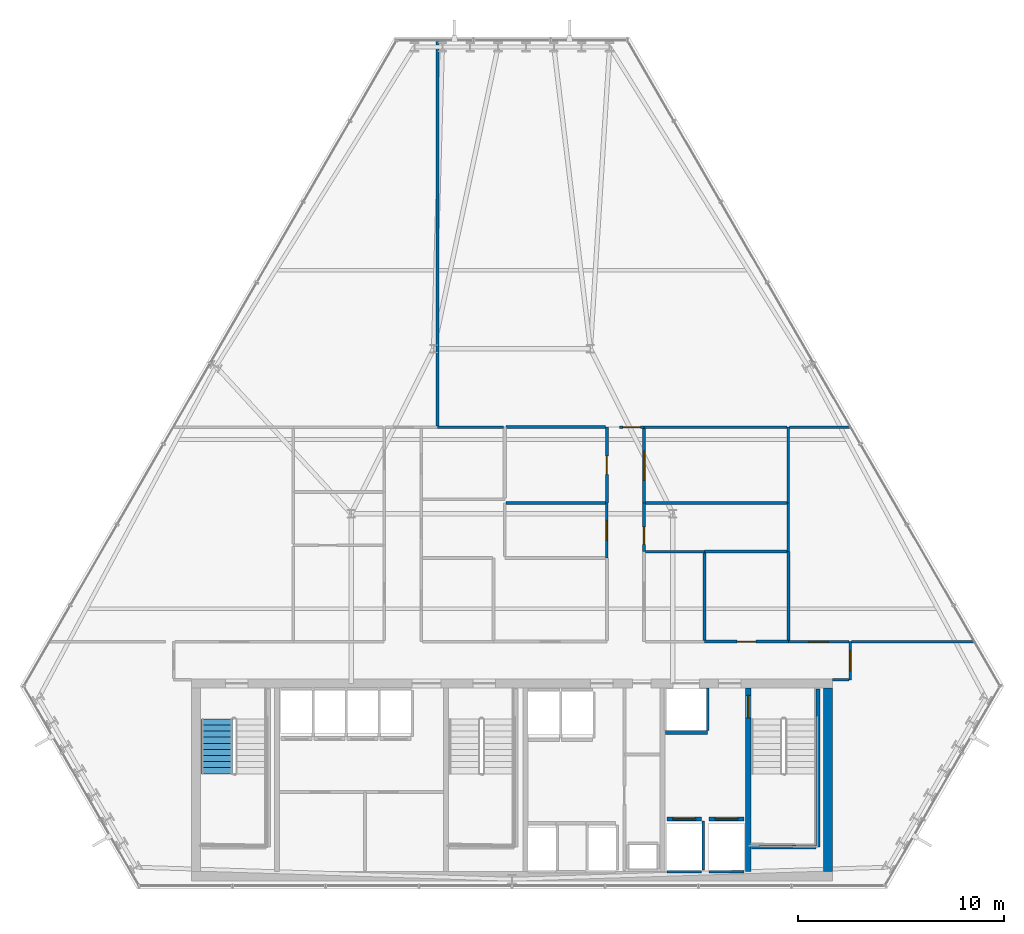
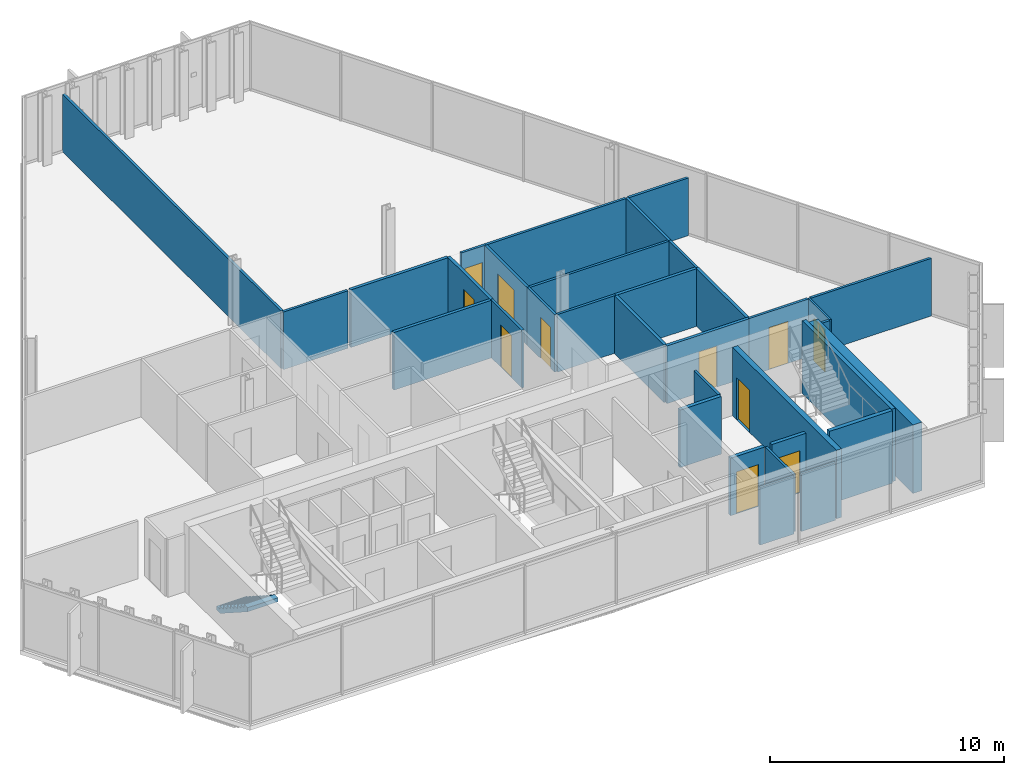
# One storey, part 28 of 33: 34 walls, 11 doors, 1 stair flight, 11 openings, 1 element without a shape of its own.
"""IFC4 building model written with IfcOpenShell, lengths in metres."""

from ifc_helpers import new_model, si_unit, direction, frame, frame_2d, origin, place, context, subcontext, project, spatial, polyline, rectangle, outline, extrude, material, layer, layer_set, type_object, element, fill, aggregate, save


model = new_model("IFC4")

# Units and contexts
model_context = context("Model", 3, precision=1e-05, world=origin(), true_north=direction((0.0, 1.0)))
body_context = subcontext(model_context, "Body", "Model", "MODEL_VIEW")
ifc_project = project(units=[si_unit("LENGTHUNIT", "METRE"), si_unit("AREAUNIT", "SQUARE_METRE"), si_unit("VOLUMEUNIT", "CUBIC_METRE"), si_unit("PLANEANGLEUNIT", "RADIAN"), si_unit("MASSUNIT", "GRAM", prefix="KILO")], contexts=[model_context])

# Site, building, storey
site_placement = place(None, origin())
site = spatial("IfcSite", under=ifc_project, at=site_placement, CompositionType="ELEMENT")
building_placement = place(site_placement, origin())
building = spatial("IfcBuilding", under=site, at=building_placement, Name="Ndaravel Arena Tower", CompositionType="ELEMENT")
storey_placement = place(building_placement, frame((0.0, 0.0, 153.60009765625)))
storey = spatial("IfcBuildingStorey", under=building, at=storey_placement, Name="L36", CompositionType="ELEMENT", Elevation=153.60009765625)

# Wall, opening, door
ifc_material_1 = material(Name="Concrete C60/75", Category="concrete")
ifc_layer_1 = layer(ifc_material_1, 0.25)
ifc_layer_set_1 = layer_set([ifc_layer_1], Name="Concrete C60/75")
wall_type_1 = type_object("IfcWallType", Name="WALL-CORE-250", PredefinedType="SOLIDWALL", material=ifc_layer_set_1)
wall_1_placement = place(storey_placement, frame((53.449951171875, 5.85009765625, 0.0), z_axis=(0.0, 0.0, 1.0), x_axis=(0.0, 1.0, 0.0)))
wall_1 = element("IfcWall", 1, at=wall_1_placement, inside=storey, type_object=wall_type_1, Name="L36 Core Web Shear Wall 5", PredefinedType="SOLIDWALL", context=body_context, shape_type="SweptSolid", body=[
    extrude(rectangle(XDim=8.89990234375, YDim=0.25, at=frame_2d((4.449951171875, 0.0))), origin(), (0.0, 0.0, 1.0), 3.579833984375),
])
opening_1_placement = place(wall_1_placement, frame((7.449951171875, 0.0, 0.0)))
opening_1 = element("IfcOpeningElement", 2, at=opening_1_placement, cuts=wall_1, Name="Opening FD-01", PredefinedType="OPENING", context=body_context, shape_type="SweptSolid", body=[
    extrude(rectangle(XDim=1.10009765625, YDim=2.199951171875, at=frame_2d((0.550048828125, 1.10009765625))), frame((0.0, 0.125, 0.0), z_axis=(0.0, -1.0, 0.0), x_axis=(1.0, 0.0, 0.0)), (0.0, 0.0, 1.0), 0.25),
])
ifc_material_2 = material(Name="Steel S355", Category="steel")
door_type_1 = type_object("IfcDoorType", Name="DT-01-STAIR-1100", OperationType="SINGLE_SWING_LEFT", PredefinedType="DOOR", material=ifc_material_2)
door_1_placement = place(opening_1_placement, origin())
door_1 = element("IfcDoor", 3, at=door_1_placement, inside=storey, type_object=door_type_1, Name="L36 Firefighting Lobby to ST-3 Door", OperationType="SINGLE_SWING_LEFT", OverallHeight=2.199951171875, OverallWidth=1.10009765625, PredefinedType="DOOR", context=body_context, shape_type="SweptSolid", body=[
    extrude(rectangle(XDim=1.10009765625, YDim=2.199951171875, at=frame_2d((0.550048828125, 1.10009765625))), frame((0.0, 0.02490234375, 0.0), z_axis=(0.0, -1.0, 0.0), x_axis=(1.0, 0.0, 0.0)), (0.0, 0.0, 1.0), 0.050048828125),
])
fill(opening_1, door_1)

# Wall
ifc_material_3 = material(Name="Concrete C60/75", Category="concrete")
ifc_layer_2 = layer(ifc_material_3, 0.449951171875)
ifc_layer_set_2 = layer_set([ifc_layer_2], Name="Concrete C60/75")
wall_type_2 = type_object("IfcWallType", Name="WALL-CORE-450", PredefinedType="SOLIDWALL", material=ifc_layer_set_2)
wall_2_placement = place(storey_placement, frame((57.324951171875, 5.85009765625, 0.0), z_axis=(0.0, 0.0, 1.0), x_axis=(0.0, 1.0, 0.0)))
element("IfcWall", 4, at=wall_2_placement, inside=storey, type_object=wall_type_2, Name="L36 Core East Shear Wall", PredefinedType="SOLIDWALL", context=body_context, shape_type="SweptSolid", body=[
    extrude(rectangle(XDim=8.89990234375, YDim=0.449951171875, at=frame_2d((4.449951171875, 0.0))), origin(), (0.0, 0.0, 1.0), 3.579833984375),
])

# Wall, opening, door
ifc_material_4 = material(Name="Timber", Category="wood")
ifc_layer_3 = layer(ifc_material_4, 0.10009765625)
ifc_layer_set_3 = layer_set([ifc_layer_3], Name="Timber")
wall_type_3 = type_object("IfcWallType", Name="WALL-MOVABLE-100", PredefinedType="MOVABLE", material=ifc_layer_set_3)
wall_3_placement = place(storey_placement, frame((58.39990234375, 17.0, 0.0), z_axis=(0.0, 0.0, 1.0), x_axis=(0.0, -1.0, 0.0)))
wall_3 = element("IfcWall", 5, at=wall_3_placement, inside=storey, type_object=wall_type_3, Name="L36 Interior Partition 001", PredefinedType="MOVABLE", context=body_context, shape_type="SweptSolid", body=[
    extrude(rectangle(XDim=1.85009765625, YDim=0.10009765625, at=frame_2d((0.925048828125, 0.0))), origin(), (0.0, 0.0, 1.0), 3.010498046875),
])
opening_2_placement = place(wall_3_placement, frame((0.449951171875, 0.0, 0.0)))
opening_2 = element("IfcOpeningElement", 6, at=opening_2_placement, cuts=wall_3, Name="Opening ID-01", PredefinedType="OPENING", context=body_context, shape_type="SweptSolid", body=[
    extrude(rectangle(XDim=0.949951171875, YDim=2.199951171875, at=frame_2d((0.47509765625, 1.10009765625))), frame((0.0, 0.050048828125, 0.0), z_axis=(0.0, -1.0, 0.0), x_axis=(1.0, 0.0, 0.0)), (0.0, 0.0, 1.0), 0.10009765625),
])
ifc_material_5 = material(Name="Timber", Category="wood")
door_type_2 = type_object("IfcDoorType", Name="DT-03-OFFICE-950", OperationType="SINGLE_SWING_LEFT", PredefinedType="DOOR", material=ifc_material_5)
door_2_placement = place(opening_2_placement, origin())
door_2 = element("IfcDoor", 7, at=door_2_placement, inside=storey, type_object=door_type_2, Name="L36 Visitor Reception Desk Door", OperationType="SINGLE_SWING_RIGHT", OverallHeight=2.199951171875, OverallWidth=0.949951171875, PredefinedType="DOOR", context=body_context, shape_type="SweptSolid", body=[
    extrude(rectangle(XDim=0.949951171875, YDim=2.199951171875, at=frame_2d((0.47509765625, 1.10009765625))), frame((0.0, 0.02490234375, 0.0), z_axis=(0.0, -1.0, 0.0), x_axis=(1.0, 0.0, 0.0)), (0.0, 0.0, 1.0), 0.050048828125),
])
fill(opening_2, door_2)

# Wall
ifc_material_6 = material(Name="Gypsum", Category="gypsum")
ifc_layer_4 = layer(ifc_material_6, 0.125)
ifc_layer_set_4 = layer_set([ifc_layer_4], Name="Gypsum")
wall_type_4 = type_object("IfcWallType", Name="WALL-PART-125", PredefinedType="PARTITIONING", material=ifc_layer_set_4)
wall_4_placement = place(storey_placement, frame((58.3349609375, 15.14990234375, 0.0), z_axis=(0.0, 0.0, 1.0), x_axis=(-1.0, 0.0, 0.0)))
element("IfcWall", 8, at=wall_4_placement, inside=storey, type_object=wall_type_4, Name="L36 Interior Partition 002", PredefinedType="PARTITIONING", context=body_context, shape_type="SweptSolid", body=[
    extrude(rectangle(XDim=0.784912109375, YDim=0.125, at=frame_2d((0.392578125, 0.0))), origin(), (0.0, 0.0, 1.0), 3.010498046875),
])

# Wall, opening, door
wall_5_placement = place(storey_placement, frame((46.60009765625, 21.055908203125, 0.0), z_axis=(0.0, 0.0, 1.0), x_axis=(0.0, 1.0, 0.0)))
wall_5 = element("IfcWall", 9, at=wall_5_placement, inside=storey, type_object=wall_type_4, Name="L36 Interior Partition 017", PredefinedType="PARTITIONING", context=body_context, shape_type="SweptSolid", body=[
    extrude(rectangle(XDim=2.66455078125, YDim=0.125, at=frame_2d((1.332275390625, 0.0))), origin(), (0.0, 0.0, 1.0), 3.010498046875),
])
opening_3_placement = place(wall_5_placement, frame((0.857421875, 0.0, 0.0)))
opening_3 = element("IfcOpeningElement", 10, at=opening_3_placement, cuts=wall_5, Name="Opening ID-01", PredefinedType="OPENING", context=body_context, shape_type="SweptSolid", body=[
    extrude(rectangle(XDim=0.949951171875, YDim=2.199951171875, at=frame_2d((0.47509765625, 1.10009765625))), frame((0.0, 0.0625, 0.0), z_axis=(0.0, -1.0, 0.0), x_axis=(1.0, 0.0, 0.0)), (0.0, 0.0, 1.0), 0.125),
])
door_3_placement = place(opening_3_placement, origin())
door_3 = element("IfcDoor", 11, at=door_3_placement, inside=storey, type_object=door_type_2, Name="L36 Training Classroom 4 Door", OperationType="SINGLE_SWING_RIGHT", OverallHeight=2.199951171875, OverallWidth=0.949951171875, PredefinedType="DOOR", context=body_context, shape_type="SweptSolid", body=[
    extrude(rectangle(XDim=0.949951171875, YDim=2.199951171875, at=frame_2d((0.47509765625, 1.10009765625))), frame((0.0, 0.02490234375, 0.0), z_axis=(0.0, -1.0, 0.0), x_axis=(1.0, 0.0, 0.0)), (0.0, 0.0, 1.0), 0.050048828125),
])
fill(opening_3, door_3)

wall_6_placement = place(storey_placement, frame((48.39990234375, 27.3349609375, 0.0), z_axis=(0.0, 0.0, 1.0), x_axis=(0.0, -1.0, 0.0)))
wall_6 = element("IfcWall", 12, at=wall_6_placement, inside=storey, type_object=wall_type_4, Name="L36 Interior Partition 020", PredefinedType="PARTITIONING", context=body_context, shape_type="SweptSolid", body=[
    extrude(rectangle(XDim=3.614501953125, YDim=0.125, at=frame_2d((1.80712890625, 0.0))), origin(), (0.0, 0.0, 1.0), 3.010498046875),
])
opening_4_placement = place(wall_6_placement, frame((1.107177734375, 0.0, 0.0)))
opening_4 = element("IfcOpeningElement", 13, at=opening_4_placement, cuts=wall_6, Name="Opening ID-02", PredefinedType="OPENING", context=body_context, shape_type="SweptSolid", body=[
    extrude(rectangle(XDim=1.39990234375, YDim=2.199951171875, at=frame_2d((0.699951171875, 1.10009765625))), frame((0.0, 0.0625, 0.0), z_axis=(0.0, -1.0, 0.0), x_axis=(1.0, 0.0, 0.0)), (0.0, 0.0, 1.0), 0.125),
])
ifc_material_7 = material(Name="Timber", Category="wood")
door_type_3 = type_object("IfcDoorType", Name="DT-04-SUITE-1400", OperationType="DOUBLE_DOOR_SINGLE_SWING", PredefinedType="DOOR", material=ifc_material_7)
door_4_placement = place(opening_4_placement, origin())
door_4 = element("IfcDoor", 14, at=door_4_placement, inside=storey, type_object=door_type_3, Name="L36 Client Conference Room 6 Door", OperationType="SINGLE_SWING_LEFT", OverallHeight=2.199951171875, OverallWidth=1.39990234375, PredefinedType="DOOR", context=body_context, shape_type="SweptSolid", body=[
    extrude(rectangle(XDim=1.39990234375, YDim=2.199951171875, at=frame_2d((0.699951171875, 1.10009765625))), frame((0.0, 0.02490234375, 0.0), z_axis=(0.0, -1.0, 0.0), x_axis=(1.0, 0.0, 0.0)), (0.0, 0.0, 1.0), 0.050048828125),
])
fill(opening_4, door_4)

wall_7_placement = place(storey_placement, frame((55.39990234375, 17.0, 0.0), z_axis=(0.0, 0.0, 1.0), x_axis=(1.0, 0.0, 0.0)))
wall_7 = element("IfcWall", 15, at=wall_7_placement, inside=storey, type_object=wall_type_4, Name="L36 Interior Partition 025", PredefinedType="PARTITIONING", context=body_context, shape_type="SweptSolid", body=[
    extrude(rectangle(XDim=2.93505859375, YDim=0.125, at=frame_2d((1.467529296875, 0.0))), origin(), (0.0, 0.0, 1.0), 3.010498046875),
])
opening_5_placement = place(wall_7_placement, frame((0.992431640625, 0.0, 0.0)))
opening_5 = element("IfcOpeningElement", 16, at=opening_5_placement, cuts=wall_7, Name="Opening ID-01", PredefinedType="OPENING", context=body_context, shape_type="SweptSolid", body=[
    extrude(rectangle(XDim=0.949951171875, YDim=2.199951171875, at=frame_2d((0.47509765625, 1.10009765625))), frame((0.0, 0.0625, 0.0), z_axis=(0.0, -1.0, 0.0), x_axis=(1.0, 0.0, 0.0)), (0.0, 0.0, 1.0), 0.125),
])
door_5_placement = place(opening_5_placement, origin())
door_5 = element("IfcDoor", 17, at=door_5_placement, inside=storey, type_object=door_type_2, Name="L36 Concierge Arrival Salon 2 Door", OperationType="SINGLE_SWING_RIGHT", OverallHeight=2.199951171875, OverallWidth=0.949951171875, PredefinedType="DOOR", context=body_context, shape_type="SweptSolid", body=[
    extrude(rectangle(XDim=0.949951171875, YDim=2.199951171875, at=frame_2d((0.47509765625, 1.10009765625))), frame((0.0, 0.02490234375, 0.0), z_axis=(0.0, -1.0, 0.0), x_axis=(1.0, 0.0, 0.0)), (0.0, 0.0, 1.0), 0.050048828125),
])
fill(opening_5, door_5)

# Walls
wall_8_placement = place(storey_placement, frame((58.465087890625, 17.0, 0.0), z_axis=(0.0, 0.0, 1.0), x_axis=(1.0, 0.0, 0.0)))
element("IfcWall", 18, at=wall_8_placement, inside=storey, type_object=wall_type_4, Name="L36 Interior Partition 027", PredefinedType="PARTITIONING", context=body_context, shape_type="SweptSolid", body=[
    extrude(rectangle(XDim=5.958740234375, YDim=0.125, at=frame_2d((2.9794921875, 0.0))), origin(), (0.0, 0.0, 1.0), 3.010498046875),
])
wall_9_placement = place(storey_placement, frame((48.465087890625, 21.367919921875, 0.0), z_axis=(0.0, 0.0, 1.0), x_axis=(1.0, 0.0, 0.0)))
element("IfcWall", 19, at=wall_9_placement, inside=storey, type_object=wall_type_4, Name="L36 Interior Partition 031", PredefinedType="PARTITIONING", context=body_context, shape_type="SweptSolid", body=[
    extrude(rectangle(XDim=2.875, YDim=0.125, at=frame_2d((1.4375, 0.0))), origin(), (0.0, 0.0, 1.0), 3.010498046875),
])
wall_10_placement = place(storey_placement, frame((55.39990234375, 21.367919921875, 0.0), z_axis=(0.0, 0.0, 1.0), x_axis=(0.0, 1.0, 0.0)))
element("IfcWall", 20, at=wall_10_placement, inside=storey, type_object=wall_type_4, Name="L36 Interior Partition 037", PredefinedType="PARTITIONING", context=body_context, shape_type="SweptSolid", body=[
    extrude(rectangle(XDim=2.3525390625, YDim=0.125, at=frame_2d((1.17626953125, 0.0))), origin(), (0.0, 0.0, 1.0), 3.010498046875),
])
wall_11_placement = place(storey_placement, frame((55.39990234375, 23.720458984375, 0.0), z_axis=(0.0, 0.0, 1.0), x_axis=(0.0, 1.0, 0.0)))
element("IfcWall", 21, at=wall_11_placement, inside=storey, type_object=wall_type_4, Name="L36 Interior Partition 038", PredefinedType="PARTITIONING", context=body_context, shape_type="SweptSolid", body=[
    extrude(rectangle(XDim=3.679443359375, YDim=0.125, at=frame_2d((1.83984375, 0.0))), origin(), (0.0, 0.0, 1.0), 3.010498046875),
])
wall_12_placement = place(storey_placement, frame((55.465087890625, 27.39990234375, 0.0), z_axis=(0.0, 0.0, 1.0), x_axis=(1.0, 0.0, 0.0)))
element("IfcWall", 22, at=wall_12_placement, inside=storey, type_object=wall_type_4, Name="L36 Interior Partition 039", PredefinedType="PARTITIONING", context=body_context, shape_type="SweptSolid", body=[
    extrude(rectangle(XDim=2.954345703125, YDim=0.125, at=frame_2d((1.47705078125, 0.0))), origin(), (0.0, 0.0, 1.0), 3.010498046875),
])
wall_13_placement = place(storey_placement, frame((48.465087890625, 23.720458984375, 0.0), z_axis=(0.0, 0.0, 1.0), x_axis=(1.0, 0.0, 0.0)))
element("IfcWall", 23, at=wall_13_placement, inside=storey, type_object=wall_type_4, Name="L36 Interior Partition 046", PredefinedType="PARTITIONING", context=body_context, shape_type="SweptSolid", body=[
    extrude(rectangle(XDim=6.869873046875, YDim=0.125, at=frame_2d((3.43505859375, 0.0))), origin(), (0.0, 0.0, 1.0), 3.010498046875),
])
wall_14_placement = place(storey_placement, frame((48.39990234375, 27.39990234375, 0.0), z_axis=(0.0, 0.0, 1.0), x_axis=(1.0, 0.0, 0.0)))
element("IfcWall", 24, at=wall_14_placement, inside=storey, type_object=wall_type_4, Name="L36 Interior Partition 050", PredefinedType="PARTITIONING", context=body_context, shape_type="SweptSolid", body=[
    extrude(rectangle(XDim=6.93505859375, YDim=0.125, at=frame_2d((3.467529296875, 0.0))), origin(), (0.0, 0.0, 1.0), 3.010498046875),
])
wall_15_placement = place(storey_placement, frame((38.3876953125, 27.39990234375, 0.0), z_axis=(0.0, 0.0, 1.0), x_axis=(1.0, 0.0, 0.0)))
element("IfcWall", 25, at=wall_15_placement, inside=storey, type_object=wall_type_4, Name="L36 Interior Partition 052", PredefinedType="PARTITIONING", context=body_context, shape_type="SweptSolid", body=[
    extrude(rectangle(XDim=3.197265625, YDim=0.125, at=frame_2d((1.5986328125, 0.0))), origin(), (0.0, 0.0, 1.0), 3.010498046875),
])
wall_16_placement = place(storey_placement, frame((38.3876953125, 46.15380859375, 0.0), z_axis=(0.0, 0.0, 1.0), x_axis=(0.0, -1.0, 0.0)))
element("IfcWall", 26, at=wall_16_placement, inside=storey, type_object=wall_type_4, Name="L36 Interior Partition 054", PredefinedType="PARTITIONING", context=body_context, shape_type="SweptSolid", body=[
    extrude(rectangle(XDim=18.688720703125, YDim=0.125, at=frame_2d((9.34423828125, 0.0))), origin(), (0.0, 0.0, 1.0), 3.010498046875),
])
ifc_material_8 = material(Name="Concrete C40/50", Category="concrete")
ifc_layer_5 = layer(ifc_material_8, 0.1201171875)
ifc_layer_set_5 = layer_set([ifc_layer_5], Name="Concrete C40/50")
wall_type_5 = type_object("IfcWallType", Name="WALL-SHAFT-120", PredefinedType="SOLIDWALL", material=ifc_layer_set_5)
wall_17_placement = place(storey_placement, frame((49.5048828125, 5.840087890625, 0.0), z_axis=(0.0, 0.0, 1.0), x_axis=(1.0, 0.0, 0.0)))
element("IfcWall", 27, at=wall_17_placement, inside=storey, type_object=wall_type_5, Name="L36 FFL-1 Shaft Rear Wall", PredefinedType="SOLIDWALL", context=body_context, shape_type="SweptSolid", body=[
    extrude(rectangle(XDim=1.690185546875, YDim=0.1201171875, at=frame_2d((0.84521484375, 0.0))), origin(), (0.0, 0.0, 1.0), 3.010498046875),
])
wall_18_placement = place(storey_placement, frame((51.27490234375, 5.929931640625, 0.0), z_axis=(0.0, 0.0, 1.0), x_axis=(0.0, 1.0, 0.0)))
element("IfcWall", 28, at=wall_18_placement, inside=storey, type_object=wall_type_5, Name="L36 FFL-1 Shaft Side R Wall", PredefinedType="SOLIDWALL", context=body_context, shape_type="SweptSolid", body=[
    extrude(rectangle(XDim=2.380126953125, YDim=0.1201171875, at=frame_2d((1.18994140625, 0.0))), origin(), (0.0, 0.0, 1.0), 3.010498046875),
])
wall_19_placement = place(storey_placement, frame((51.554931640625, 5.840087890625, 0.0), z_axis=(0.0, 0.0, 1.0), x_axis=(1.0, 0.0, 0.0)))
element("IfcWall", 29, at=wall_19_placement, inside=storey, type_object=wall_type_5, Name="L36 FFL-2 Shaft Rear Wall", PredefinedType="SOLIDWALL", context=body_context, shape_type="SweptSolid", body=[
    extrude(rectangle(XDim=1.690185546875, YDim=0.1201171875, at=frame_2d((0.84521484375, 0.0))), origin(), (0.0, 0.0, 1.0), 3.010498046875),
])
wall_20_placement = place(storey_placement, frame((51.47998046875, 12.68994140625, 0.0), z_axis=(0.0, 0.0, 1.0), x_axis=(0.0, 1.0, 0.0)))
element("IfcWall", 30, at=wall_20_placement, inside=storey, type_object=wall_type_5, Name="L36 SVL-1 Shaft E Wall", PredefinedType="SOLIDWALL", context=body_context, shape_type="SweptSolid", body=[
    extrude(rectangle(XDim=2.070068359375, YDim=0.1201171875, at=frame_2d((1.03515625, 0.0))), origin(), (0.0, 0.0, 1.0), 3.010498046875),
])
ifc_material_9 = material(Name="Concrete C40/50", Category="concrete")
ifc_layer_6 = layer(ifc_material_9, 0.199951171875)
ifc_layer_set_6 = layer_set([ifc_layer_6], Name="Concrete C40/50")
wall_type_6 = type_object("IfcWallType", Name="WALL-SHAFT-200", PredefinedType="SOLIDWALL", material=ifc_layer_set_6)
wall_21_placement = place(storey_placement, frame((56.840087890625, 14.699951171875, 0.0), z_axis=(0.0, 0.0, 1.0), x_axis=(0.0, -1.0, 0.0)))
element("IfcWall", 31, at=wall_21_placement, inside=storey, type_object=wall_type_6, Name="L36 ST-3 Structural Shaft Wall Right", PredefinedType="SOLIDWALL", context=body_context, shape_type="SweptSolid", body=[
    extrude(rectangle(XDim=7.64990234375, YDim=0.199951171875, at=frame_2d((3.824951171875, 0.0))), origin(), (0.0, 0.0, 1.0), 3.7998046875),
])
wall_22_placement = place(storey_placement, frame((53.6201171875, 7.050048828125, 0.0), z_axis=(0.0, 0.0, 1.0), x_axis=(1.0, 0.0, 0.0)))
element("IfcWall", 32, at=wall_22_placement, inside=storey, type_object=wall_type_6, Name="L36 ST-3 Structural Shaft Wall Far", PredefinedType="SOLIDWALL", context=body_context, shape_type="SweptSolid", body=[
    extrude(rectangle(XDim=3.114990234375, YDim=0.199951171875, at=frame_2d((1.5576171875, 0.0))), origin(), (0.0, 0.0, 1.0), 3.7998046875),
])

# Wall, opening, door
wall_23_placement = place(storey_placement, frame((49.5048828125, 8.39990234375, 0.0), z_axis=(0.0, 0.0, 1.0), x_axis=(1.0, 0.0, 0.0)))
wall_23 = element("IfcWall", 33, at=wall_23_placement, inside=storey, type_object=wall_type_6, Name="L36 FFL-1 Shaft Landing Wall", PredefinedType="SOLIDWALL", context=body_context, shape_type="SweptSolid", body=[
    extrude(rectangle(XDim=1.690185546875, YDim=0.179931640625, at=frame_2d((0.84521484375, 0.0))), origin(), (0.0, 0.0, 1.0), 3.010498046875),
])
opening_6_placement = place(wall_23_placement, frame((0.294921875, 0.0, 0.0)))
opening_6 = element("IfcOpeningElement", 34, at=opening_6_placement, cuts=wall_23, Name="Opening LD-01", PredefinedType="OPENING", context=body_context, shape_type="SweptSolid", body=[
    extrude(rectangle(XDim=1.10009765625, YDim=2.199951171875, at=frame_2d((0.550048828125, 1.10009765625))), frame((0.0, 0.08984375, 0.0), z_axis=(0.0, -1.0, 0.0), x_axis=(1.0, 0.0, 0.0)), (0.0, 0.0, 1.0), 0.179931640625),
])
ifc_material_10 = material(Name="Steel S355", Category="steel")
door_type_4 = type_object("IfcDoorType", Name="DT-06-LIFT-1100", OperationType="SLIDING_TO_LEFT", PredefinedType="DOOR", material=ifc_material_10)
door_6_placement = place(opening_6_placement, origin())
door_6 = element("IfcDoor", 35, at=door_6_placement, inside=storey, type_object=door_type_4, Name="L36 Lift FFL-1 Sliding Landing Door", OperationType="SLIDING_TO_LEFT", OverallHeight=2.199951171875, OverallWidth=1.10009765625, PredefinedType="DOOR", context=body_context, shape_type="SweptSolid", body=[
    extrude(rectangle(XDim=1.10009765625, YDim=2.199951171875, at=frame_2d((0.550048828125, 1.10009765625))), frame((0.0, 0.02490234375, 0.0), z_axis=(0.0, -1.0, 0.0), x_axis=(1.0, 0.0, 0.0)), (0.0, 0.0, 1.0), 0.050048828125),
])
fill(opening_6, door_6)

wall_24_placement = place(storey_placement, frame((51.554931640625, 8.39990234375, 0.0), z_axis=(0.0, 0.0, 1.0), x_axis=(1.0, 0.0, 0.0)))
wall_24 = element("IfcWall", 36, at=wall_24_placement, inside=storey, type_object=wall_type_6, Name="L36 FFL-2 Shaft Landing Wall", PredefinedType="SOLIDWALL", context=body_context, shape_type="SweptSolid", body=[
    extrude(rectangle(XDim=1.690185546875, YDim=0.179931640625, at=frame_2d((0.84521484375, 0.0))), origin(), (0.0, 0.0, 1.0), 3.010498046875),
])
opening_7_placement = place(wall_24_placement, frame((0.294921875, 0.0, 0.0)))
opening_7 = element("IfcOpeningElement", 37, at=opening_7_placement, cuts=wall_24, Name="Opening LD-01", PredefinedType="OPENING", context=body_context, shape_type="SweptSolid", body=[
    extrude(rectangle(XDim=1.10009765625, YDim=2.199951171875, at=frame_2d((0.550048828125, 1.10009765625))), frame((0.0, 0.08984375, 0.0), z_axis=(0.0, -1.0, 0.0), x_axis=(1.0, 0.0, 0.0)), (0.0, 0.0, 1.0), 0.179931640625),
])
door_7_placement = place(opening_7_placement, origin())
door_7 = element("IfcDoor", 38, at=door_7_placement, inside=storey, type_object=door_type_4, Name="L36 Lift FFL-2 Sliding Landing Door", OperationType="SLIDING_TO_LEFT", OverallHeight=2.199951171875, OverallWidth=1.10009765625, PredefinedType="DOOR", context=body_context, shape_type="SweptSolid", body=[
    extrude(rectangle(XDim=1.10009765625, YDim=2.199951171875, at=frame_2d((0.550048828125, 1.10009765625))), frame((0.0, 0.02490234375, 0.0), z_axis=(0.0, -1.0, 0.0), x_axis=(1.0, 0.0, 0.0)), (0.0, 0.0, 1.0), 0.050048828125),
])
fill(opening_7, door_7)

# Wall
wall_25_placement = place(storey_placement, frame((49.43994140625, 12.594970703125, 0.0), z_axis=(0.0, 0.0, 1.0), x_axis=(1.0, 0.0, 0.0)))
element("IfcWall", 39, at=wall_25_placement, inside=storey, type_object=wall_type_6, Name="L36 SVL-1 Shaft South Wall", PredefinedType="SOLIDWALL", context=body_context, shape_type="SweptSolid", body=[
    extrude(rectangle(XDim=2.0400390625, YDim=0.179931640625, at=frame_2d((1.02001953125, 0.0))), origin(), (0.0, 0.0, 1.0), 3.010498046875),
])

# Wall, opening, door
ifc_material_11 = material(Name="Masonry", Category="masonry")
ifc_layer_7 = layer(ifc_material_11, 0.14990234375)
ifc_layer_set_7 = layer_set([ifc_layer_7], Name="Masonry")
wall_type_7 = type_object("IfcWallType", Name="WALL-WET-150", PredefinedType="PARTITIONING", material=ifc_layer_set_7)
wall_26_placement = place(storey_placement, frame((46.60009765625, 23.720458984375, 0.0), z_axis=(0.0, 0.0, 1.0), x_axis=(0.0, 1.0, 0.0)))
wall_26 = element("IfcWall", 40, at=wall_26_placement, inside=storey, type_object=wall_type_7, Name="L36 Interior Partition 018", PredefinedType="PARTITIONING", context=body_context, shape_type="SweptSolid", body=[
    extrude(rectangle(XDim=3.679443359375, YDim=0.14990234375, at=frame_2d((1.83984375, 0.0))), origin(), (0.0, 0.0, 1.0), 3.010498046875),
])
opening_8_placement = place(wall_26_placement, frame((1.3896484375, 0.0, 0.0)))
opening_8 = element("IfcOpeningElement", 41, at=opening_8_placement, cuts=wall_26, Name="Opening WD-01", PredefinedType="OPENING", context=body_context, shape_type="SweptSolid", body=[
    extrude(rectangle(XDim=0.89990234375, YDim=2.14990234375, at=frame_2d((0.449951171875, 1.074951171875))), frame((0.0, 0.074951171875, 0.0), z_axis=(0.0, -1.0, 0.0), x_axis=(1.0, 0.0, 0.0)), (0.0, 0.0, 1.0), 0.14990234375),
])
ifc_material_12 = material(Name="Timber", Category="wood")
door_type_5 = type_object("IfcDoorType", Name="DT-05-WC-900", OperationType="SINGLE_SWING_LEFT", PredefinedType="DOOR", material=ifc_material_12)
door_8_placement = place(opening_8_placement, origin())
door_8 = element("IfcDoor", 42, at=door_8_placement, inside=storey, type_object=door_type_5, Name="L36 Female & Accessible Restroom Door", OperationType="SINGLE_SWING_RIGHT", OverallHeight=2.14990234375, OverallWidth=0.89990234375, PredefinedType="DOOR", context=body_context, shape_type="SweptSolid", body=[
    extrude(rectangle(XDim=0.89990234375, YDim=2.14990234375, at=frame_2d((0.449951171875, 1.074951171875))), frame((0.0, 0.02490234375, 0.0), z_axis=(0.0, -1.0, 0.0), x_axis=(1.0, 0.0, 0.0)), (0.0, 0.0, 1.0), 0.050048828125),
])
fill(opening_8, door_8)

wall_27_placement = place(storey_placement, frame((47.199951171875, 27.39990234375, 0.0), z_axis=(0.0, 0.0, 1.0), x_axis=(1.0, 0.0, 0.0)))
wall_27 = element("IfcWall", 43, at=wall_27_placement, inside=storey, type_object=wall_type_7, Name="L36 Interior Partition 019", PredefinedType="PARTITIONING", context=body_context, shape_type="SweptSolid", body=[
    extrude(rectangle(XDim=1.199951171875, YDim=0.125, at=frame_2d((0.60009765625, 0.0))), origin(), (0.0, 0.0, 1.0), 3.010498046875),
])
opening_9_placement = place(wall_27_placement, frame((0.175048828125, 0.0, 0.0)))
opening_9 = element("IfcOpeningElement", 44, at=opening_9_placement, cuts=wall_27, Name="Opening ID-03", PredefinedType="OPENING", context=body_context, shape_type="SweptSolid", body=[
    extrude(rectangle(XDim=0.85009765625, YDim=2.14990234375, at=frame_2d((0.425048828125, 1.074951171875))), frame((0.0, 0.0625, 0.0), z_axis=(0.0, -1.0, 0.0), x_axis=(1.0, 0.0, 0.0)), (0.0, 0.0, 1.0), 0.125),
])
ifc_material_13 = material(Name="Timber", Category="wood")
door_type_6 = type_object("IfcDoorType", Name="DT-12-SUB-850", OperationType="SINGLE_SWING_LEFT", PredefinedType="DOOR", material=ifc_material_13)
door_9_placement = place(opening_9_placement, origin())
door_9 = element("IfcDoor", 45, at=door_9_placement, inside=storey, type_object=door_type_6, Name="L36 Training Classroom 8 Door", OperationType="SINGLE_SWING_LEFT", OverallHeight=2.14990234375, OverallWidth=0.85009765625, PredefinedType="DOOR", context=body_context, shape_type="SweptSolid", body=[
    extrude(rectangle(XDim=0.85009765625, YDim=2.14990234375, at=frame_2d((0.425048828125, 1.074951171875))), frame((0.0, 0.02490234375, 0.0), z_axis=(0.0, -1.0, 0.0), x_axis=(1.0, 0.0, 0.0)), (0.0, 0.0, 1.0), 0.050048828125),
])
fill(opening_9, door_9)

wall_28_placement = place(storey_placement, frame((48.39990234375, 23.720458984375, 0.0), z_axis=(0.0, 0.0, 1.0), x_axis=(0.0, -1.0, 0.0)))
wall_28 = element("IfcWall", 46, at=wall_28_placement, inside=storey, type_object=wall_type_7, Name="L36 Interior Partition 021", PredefinedType="PARTITIONING", context=body_context, shape_type="SweptSolid", body=[
    extrude(rectangle(XDim=2.3525390625, YDim=0.125, at=frame_2d((1.17626953125, 0.0))), origin(), (0.0, 0.0, 1.0), 3.010498046875),
])
opening_10_placement = place(wall_28_placement, frame((1.1513671875, 0.0, 0.0)))
opening_10 = element("IfcOpeningElement", 47, at=opening_10_placement, cuts=wall_28, Name="Opening ID-03", PredefinedType="OPENING", context=body_context, shape_type="SweptSolid", body=[
    extrude(rectangle(XDim=0.85009765625, YDim=2.14990234375, at=frame_2d((0.425048828125, 1.074951171875))), frame((0.0, 0.0625, 0.0), z_axis=(0.0, -1.0, 0.0), x_axis=(1.0, 0.0, 0.0)), (0.0, 0.0, 1.0), 0.125),
])
door_10_placement = place(opening_10_placement, origin())
door_10 = element("IfcDoor", 48, at=door_10_placement, inside=storey, type_object=door_type_6, Name="L36 Executive Boardroom 5 Door", OperationType="SINGLE_SWING_LEFT", OverallHeight=2.14990234375, OverallWidth=0.85009765625, PredefinedType="DOOR", context=body_context, shape_type="SweptSolid", body=[
    extrude(rectangle(XDim=0.85009765625, YDim=2.14990234375, at=frame_2d((0.425048828125, 1.074951171875))), frame((0.0, 0.02490234375, 0.0), z_axis=(0.0, -1.0, 0.0), x_axis=(1.0, 0.0, 0.0)), (0.0, 0.0, 1.0), 0.050048828125),
])
fill(opening_10, door_10)

wall_29_placement = place(storey_placement, frame((51.340087890625, 17.0, 0.0), z_axis=(0.0, 0.0, 1.0), x_axis=(1.0, 0.0, 0.0)))
wall_29 = element("IfcWall", 49, at=wall_29_placement, inside=storey, type_object=wall_type_7, Name="L36 Interior Partition 024", PredefinedType="PARTITIONING", context=body_context, shape_type="SweptSolid", body=[
    extrude(rectangle(XDim=4.059814453125, YDim=0.14990234375, at=frame_2d((2.02978515625, 0.0))), origin(), (0.0, 0.0, 1.0), 3.010498046875),
])
opening_11_placement = place(wall_29_placement, frame((1.580078125, 0.0, 0.0)))
opening_11 = element("IfcOpeningElement", 50, at=opening_11_placement, cuts=wall_29, Name="Opening WD-01", PredefinedType="OPENING", context=body_context, shape_type="SweptSolid", body=[
    extrude(rectangle(XDim=0.89990234375, YDim=2.14990234375, at=frame_2d((0.449951171875, 1.074951171875))), frame((0.0, 0.074951171875, 0.0), z_axis=(0.0, -1.0, 0.0), x_axis=(1.0, 0.0, 0.0)), (0.0, 0.0, 1.0), 0.14990234375),
])
door_11_placement = place(opening_11_placement, origin())
door_11 = element("IfcDoor", 51, at=door_11_placement, inside=storey, type_object=door_type_5, Name="L36 Male Staff & Visitor Restroom Door", OperationType="SINGLE_SWING_RIGHT", OverallHeight=2.14990234375, OverallWidth=0.89990234375, PredefinedType="DOOR", context=body_context, shape_type="SweptSolid", body=[
    extrude(rectangle(XDim=0.89990234375, YDim=2.14990234375, at=frame_2d((0.449951171875, 1.074951171875))), frame((0.0, 0.02490234375, 0.0), z_axis=(0.0, -1.0, 0.0), x_axis=(1.0, 0.0, 0.0)), (0.0, 0.0, 1.0), 0.050048828125),
])
fill(opening_11, door_11)

# Walls
wall_30_placement = place(storey_placement, frame((51.340087890625, 21.302978515625, 0.0), z_axis=(0.0, 0.0, 1.0), x_axis=(0.0, -1.0, 0.0)))
element("IfcWall", 52, at=wall_30_placement, inside=storey, type_object=wall_type_7, Name="L36 Interior Partition 032", PredefinedType="PARTITIONING", context=body_context, shape_type="SweptSolid", body=[
    extrude(rectangle(XDim=4.238037109375, YDim=0.14990234375, at=frame_2d((2.119140625, 0.0))), origin(), (0.0, 0.0, 1.0), 3.010498046875),
])
wall_31_placement = place(storey_placement, frame((55.39990234375, 21.367919921875, 0.0), z_axis=(0.0, 0.0, 1.0), x_axis=(0.0, -1.0, 0.0)))
element("IfcWall", 53, at=wall_31_placement, inside=storey, type_object=wall_type_7, Name="L36 Interior Partition 033", PredefinedType="PARTITIONING", context=body_context, shape_type="SweptSolid", body=[
    extrude(rectangle(XDim=4.302978515625, YDim=0.14990234375, at=frame_2d((2.1513671875, 0.0))), origin(), (0.0, 0.0, 1.0), 3.010498046875),
])
wall_32_placement = place(storey_placement, frame((51.340087890625, 21.367919921875, 0.0), z_axis=(0.0, 0.0, 1.0), x_axis=(1.0, 0.0, 0.0)))
element("IfcWall", 54, at=wall_32_placement, inside=storey, type_object=wall_type_7, Name="L36 Interior Partition 034", PredefinedType="PARTITIONING", context=body_context, shape_type="SweptSolid", body=[
    extrude(rectangle(XDim=3.994873046875, YDim=0.14990234375, at=frame_2d((1.99755859375, 0.0))), origin(), (0.0, 0.0, 1.0), 3.010498046875),
])
for number, where, z_axis, x_axis, name in (
    (55, (41.715087890625, 23.720458984375, 0.0), (0.0, 0.0, 1.0), (1.0, 0.0, 0.0), "L36 Interior Partition 044"),
    (56, (41.715087890625, 27.39990234375, 0.0), (0.0, 0.0, 1.0), (1.0, 0.0, 0.0), "L36 Interior Partition 049"),
):
    element("IfcWall", number, at=place(storey_placement, frame(where, z_axis=z_axis, x_axis=x_axis)), inside=storey, type_object=wall_type_7, Name=name, PredefinedType="PARTITIONING", context=body_context, shape_type="SweptSolid", body=[
        extrude(rectangle(XDim=4.81982421875, YDim=0.14990234375, at=frame_2d((2.409912109375, 0.0))), origin(), (0.0, 0.0, 1.0), 3.010498046875),
    ])

# Stair, stair flight
ifc_material_14 = material(Name="Concrete C40/50", Category="concrete")
stair_type = type_object("IfcStairType", Name="STAIR-CORE-HT", PredefinedType="HALF_TURN_STAIR", material=ifc_material_14)
stair_placement = place(storey_placement, origin())
stair = element("IfcStair", 57, at=stair_placement, inside=storey, type_object=stair_type, Name="L36 ST-1", PredefinedType="HALF_TURN_STAIR")
ifc_material_15 = material(Name="Concrete C40/50", Category="concrete")
stair_flight_type = type_object("IfcStairFlightType", Name="SFLIGHT-CORE-1680", PredefinedType="STRAIGHT", material=ifc_material_15)
stair_flight_placement = place(storey_placement, frame((27.699951171875, 13.25, 0.0), z_axis=(0.0, 0.0, 1.0), x_axis=(0.0, -1.0, 0.0)))
stair_flight = element("IfcStairFlight", 58, at=stair_flight_placement, type_object=stair_flight_type, Name="ST-1 flight 1", NumberOfRisers=10, NumberOfTreads=9, PredefinedType="STRAIGHT", RiserHeight=0.19, TreadLength=0.295, context=body_context, shape_type="SweptSolid", body=[
    extrude(outline(polyline([(0.0, 0.0), (0.0, 0.18994140625), (0.294921875, 0.18994140625), (0.294921875, 0.3798828125), (0.590087890625, 0.3798828125), (0.590087890625, 0.570068359375), (0.885009765625, 0.570068359375), (0.885009765625, 0.760009765625), (1.179931640625, 0.760009765625), (1.179931640625, 0.949951171875), (1.47509765625, 0.949951171875), (1.47509765625, 1.139892578125), (1.77001953125, 1.139892578125), (1.77001953125, 1.330078125), (2.06494140625, 1.330078125), (2.06494140625, 1.52001953125), (2.360107421875, 1.52001953125), (2.360107421875, 1.7099609375), (2.655029296875, 1.7099609375), (2.655029296875, 1.89990234375), (2.655029296875, 1.49609375), (0.332275390625, 0.0), (0.0, 0.0)])), frame((0.0, 0.75, 0.0), z_axis=(0.0, -1.0, 0.0), x_axis=(1.0, 0.0, 0.0)), (0.0, 0.0, 1.0), 1.5),
])
aggregate(stair, [stair_flight])

save(model, "model.ifc")
